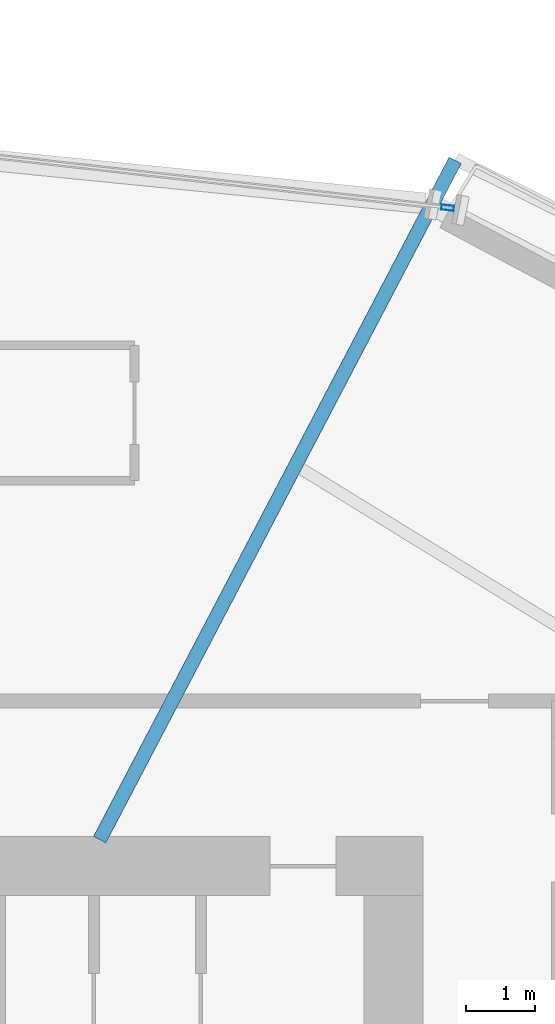
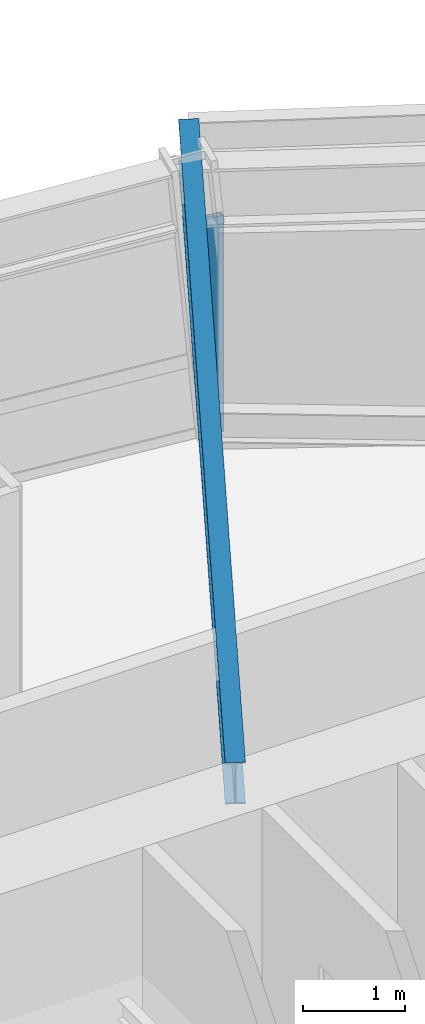
# One storey, part 9 of 22: 1 beam, 1 member, 1 element without a shape of its own.
"""IFC4 building model written with IfcOpenShell, lengths in metres."""

from ifc_helpers import new_model, si_unit, direction, frame, origin, origin_2d, place, context, subcontext, project, spatial, hollow_rectangle, i_section, extrude, source, transform, mapped, material, material_profile, profile_set, type_object, element, aggregate, save


model = new_model("IFC4")

# Units and contexts
model_context = context("Model", 3, precision=1e-05, world=origin(), true_north=direction((0.0, 1.0)))
body_context = subcontext(model_context, "Body", "Model", "MODEL_VIEW")
ifc_project = project(units=[si_unit("LENGTHUNIT", "METRE"), si_unit("AREAUNIT", "SQUARE_METRE"), si_unit("VOLUMEUNIT", "CUBIC_METRE"), si_unit("PLANEANGLEUNIT", "RADIAN"), si_unit("MASSUNIT", "GRAM", prefix="KILO")], contexts=[model_context])

# Site, building, storey
site_placement = place(None, origin())
site = spatial("IfcSite", under=ifc_project, at=site_placement, CompositionType="ELEMENT")
building_placement = place(site_placement, origin())
building = spatial("IfcBuilding", under=site, at=building_placement, Name="Olszyna Solenne Hotel", CompositionType="ELEMENT")
storey_placement = place(building_placement, frame((0.0, 0.0, 61.25)))
storey = spatial("IfcBuildingStorey", under=building, at=storey_placement, Name="L15", CompositionType="ELEMENT", Elevation=61.25)

# Beam
ifc_material_1 = material(Name="Steel S355J2", Category="steel")
ifc_material_profile_1 = material_profile(ifc_material_1, i_section(OverallWidth=0.199951171875, OverallDepth=0.5, WebThickness=0.01025390625, FlangeThickness=0.01611328125, at=origin_2d()), Name="IPE 500", Category="load-bearing")
ifc_profile_set_1 = profile_set([ifc_material_profile_1], Name="Steel S355J2")
beam_type = type_object("IfcBeamType", Name="BM-F3", PredefinedType="BEAM", material=ifc_profile_set_1)
shared_shape_1 = source(origin(), body_context, "Body", "SweptSolid", [
    extrude(i_section(OverallWidth=0.199951171875, OverallDepth=0.5, WebThickness=0.01025390625, FlangeThickness=0.01611328125, at=origin_2d()), origin(), (0.0, 0.0, 1.0), 11.03662109375),
])
beam_placement = place(storey_placement, frame((47.21533203125, 44.284423828125, 3.050048828125), z_axis=(-0.463630859069, -0.886028456947, 0.0), x_axis=(0.886028456947, -0.463630859069, 0.0)))
element("IfcBeam", 1, at=beam_placement, inside=storey, type_object=beam_type, Name="Radial floor girder BM-F3 B-L15-0480", PredefinedType="BEAM", context=body_context, shape_type="MappedRepresentation", body=[
    mapped(shared_shape_1, transform((0.0, 0.0, 0.0), x_axis=(1.0, 0.0, 0.0), y_axis=(0.0, 1.0, 0.0), z_axis=(0.0, 0.0, 1.0), scale=1.0)),
])

# Curtain wall, member
ifc_material_2 = material(Name="Anodised bronze aluminium", Category="aluminium")
curtain_wall_type = type_object("IfcCurtainWallType", Name="CW-SYS-2", PredefinedType="NOTDEFINED", material=ifc_material_2)
curtain_wall_placement = place(storey_placement, origin())
curtain_wall = element("IfcCurtainWall", 2, at=curtain_wall_placement, inside=storey, type_object=curtain_wall_type, Name="Unitised curtain wall CW-SYS-2 CW-L15-02", PredefinedType="NOTDEFINED")
ifc_material_profile_2 = material_profile(ifc_material_2, hollow_rectangle(XDim=0.074951171875, YDim=0.179931640625, WallThickness=0.00439453125, at=origin_2d()), Name="MULL 180x75x4.5", Category="load-bearing")
ifc_profile_set_2 = profile_set([ifc_material_profile_2], Name="Anodised bronze aluminium")
member_type = type_object("IfcMemberType", Name="CW-M2", PredefinedType="MULLION", material=ifc_profile_set_2)
shared_shape_2 = source(origin(), body_context, "Body", "SweptSolid", [
    extrude(hollow_rectangle(XDim=0.074951171875, YDim=0.179931640625, WallThickness=0.00439453125, at=origin_2d()), origin(), (0.0, 0.0, 1.0), 2.592041015625),
])
member_placement = place(storey_placement, frame((47.10791015625, 43.6025390625, 0.0), z_axis=(0.0, 0.0, 1.0), x_axis=(0.112596938937, 0.993640744606, 0.0)))
member = element("IfcMember", 3, at=member_placement, type_object=member_type, Name="Curtain-wall mullion CW-M2 CM-L15-02-04", PredefinedType="MULLION", context=body_context, shape_type="MappedRepresentation", body=[
    mapped(shared_shape_2, transform((0.0, 0.0, 0.0), x_axis=(1.0, 0.0, 0.0), y_axis=(0.0, 1.0, 0.0), z_axis=(0.0, 0.0, 1.0), scale=1.0)),
])
aggregate(curtain_wall, [member])

save(model, "model.ifc")
